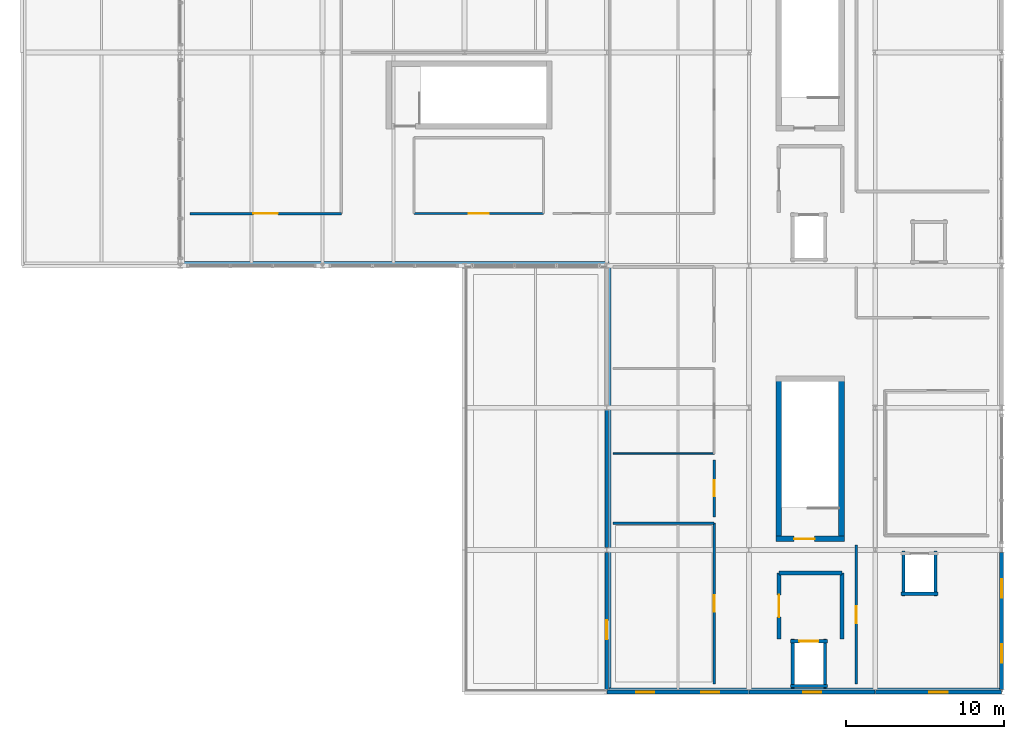
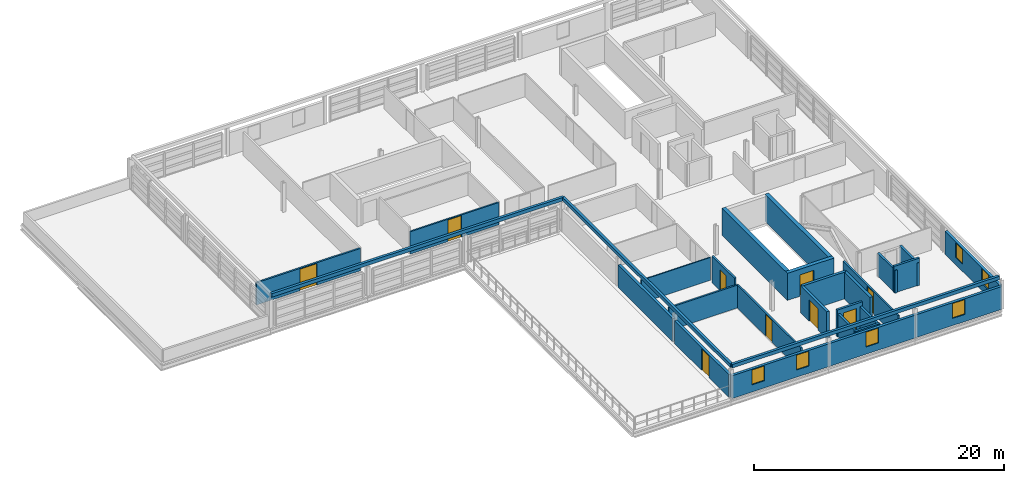
# One storey, part 24 of 27: 29 walls, 9 doors, 6 windows, 15 openings.
"""IFC4 building model written with IfcOpenShell, lengths in metres."""

import ifcopenshell
import ifcopenshell.guid

model = None  # the IFC model being written
_history = None  # IfcOwnerHistory: only IFC2X3 demands one
_inside = {}  # id of a spatial element -> (the spatial element, [elements in it])
_under = {}  # id of a project, library or spatial element -> (it, [spatial elements below it])
_declared = {}  # id of a project -> (the project, [libraries it declares])
_typed = {}  # id of a type object -> (the type object, [elements of that type])
_made_of = {}  # id of a material, layer set ... -> (it, [elements and type objects made of it])


def new_model(schema):
    """Start an empty IFC model of exactly this schema.

    Asked for "IFC4X3", IfcOpenShell would pick the latest addendum, in which some entities
    have other attributes; the version numbers below select the first issue.
    IFC2X3 requires an IfcOwnerHistory on every rooted entity: one is made here for all.
    """
    global model, _history
    if schema == "IFC4X3":
        model = ifcopenshell.file(schema_version=(4, 3, 0, 0))
    else:
        model = ifcopenshell.file(schema=schema)
    _inside.clear()
    _under.clear()
    _declared.clear()
    _typed.clear()
    _made_of.clear()
    _history = None
    if model.schema == "IFC2X3":
        org = make("IfcOrganization", Name="unknown")
        user = make(
            "IfcPersonAndOrganization",
            ThePerson=make("IfcPerson", FamilyName="unknown"),
            TheOrganization=org,
        )
        app = make(
            "IfcApplication",
            ApplicationDeveloper=org,
            Version="unknown",
            ApplicationFullName="unknown",
            ApplicationIdentifier="unknown",
        )
        _history = make(
            "IfcOwnerHistory",
            OwningUser=user,
            OwningApplication=app,
            ChangeAction="ADDED",
            CreationDate=0,
        )
    return model


def make(cls, **values):
    """One entity of the class cls with the attributes given. An attribute that is None is left unset."""
    return model.create_entity(
        cls, **{name: value for name, value in values.items() if value is not None}
    )


def rooted(cls, **values):
    """An entity with a GlobalId (a new one), such as an element, a storey or a relation."""
    return make(cls, GlobalId=ifcopenshell.guid.new(), OwnerHistory=_history, **values)


def si_unit(unit_type, name, prefix=None):
    """IfcSIUnit, for example si_unit("LENGTHUNIT", "METRE", prefix="MILLI")."""
    return make("IfcSIUnit", UnitType=unit_type, Prefix=prefix, Name=name)


def assignment(units):
    """IfcUnitAssignment: the units of a project."""
    return None if units is None else make("IfcUnitAssignment", Units=units)


def point(xyz):
    """IfcCartesianPoint."""
    return None if xyz is None else make("IfcCartesianPoint", Coordinates=xyz)


def direction(xyz):
    """IfcDirection."""
    return None if xyz is None else make("IfcDirection", DirectionRatios=xyz)


def frame(location, z_axis=None, x_axis=None):
    """IfcAxis2Placement3D, a coordinate frame: its origin and axes. An axis left out is left unset."""
    return make(
        "IfcAxis2Placement3D",
        Location=point(location),
        Axis=direction(z_axis),
        RefDirection=direction(x_axis),
    )


def frame_2d(location, x_axis=None):
    """IfcAxis2Placement2D, a coordinate frame in the plane: its origin and x axis."""
    return make(
        "IfcAxis2Placement2D", Location=point(location), RefDirection=direction(x_axis)
    )


def origin():
    """The frame at (0, 0, 0) with its axes left unset."""
    return frame((0.0, 0.0, 0.0))


def place(relative_to, where):
    """IfcLocalPlacement: puts the frame where relative to a parent placement (None: the world)."""
    return make(
        "IfcLocalPlacement", PlacementRelTo=relative_to, RelativePlacement=where
    )


def context(
    kind, dimensions, precision=None, world=None, true_north=None, identifier=None
):
    """IfcGeometricRepresentationContext, for example the 3D "Model" context."""
    return make(
        "IfcGeometricRepresentationContext",
        ContextIdentifier=identifier,
        ContextType=kind,
        CoordinateSpaceDimension=dimensions,
        Precision=precision,
        WorldCoordinateSystem=world,
        TrueNorth=true_north,
    )


def subcontext(parent, identifier, kind, view, scale=None):
    """IfcGeometricRepresentationSubContext, for example "Body" below "Model"."""
    return make(
        "IfcGeometricRepresentationSubContext",
        ContextIdentifier=identifier,
        ContextType=kind,
        ParentContext=parent,
        TargetScale=scale,
        TargetView=view,
    )


def project(units=None, contexts=None):
    """IfcProject with its units and contexts."""
    return rooted(
        "IfcProject",
        Name="project",
        RepresentationContexts=contexts,
        UnitsInContext=assignment(units),
    )


def spatial(cls, under=None, at=None, **own):
    """A site, building, storey or space (cls), placed at a placement, below another one or the project."""
    s = rooted(cls, ObjectPlacement=at, **own)
    if under is not None:
        _under.setdefault(under.id(), (under, []))[1].append(s)
    return s


def profile(cls, at=None, kind="AREA", **sizes):
    """A parametric profile (cls). Its sizes go by their IFC names, for example OverallWidth=200.0."""
    return make(cls, ProfileType=kind, Position=at, **sizes)


def rectangle(**sizes):
    """IfcRectangleProfileDef."""
    return profile("IfcRectangleProfileDef", **sizes)


def extrude(swept, where, along, depth):
    """IfcExtrudedAreaSolid: the profile swept, set in the frame where, extruded along a direction by depth."""
    return make(
        "IfcExtrudedAreaSolid",
        SweptArea=swept,
        Position=where,
        ExtrudedDirection=direction(along),
        Depth=depth,
    )


def shape(context_of_items, identifier, shape_type, items):
    """IfcShapeRepresentation: the items that make up one representation, for example the "Body"."""
    return make(
        "IfcShapeRepresentation",
        ContextOfItems=context_of_items,
        RepresentationIdentifier=identifier,
        RepresentationType=shape_type,
        Items=items,
    )


def material(Name=None, Category=None):
    """IfcMaterial."""
    return make("IfcMaterial", Name=Name, Category=Category)


def layer(
    of_material, thickness, ventilated=None, Name=None, Category=None, Priority=None
):
    """IfcMaterialLayer: one layer of a wall or slab, of a material (None: an air gap)."""
    return make(
        "IfcMaterialLayer",
        Material=of_material,
        LayerThickness=thickness,
        IsVentilated=ventilated,
        Name=Name,
        Category=Category,
        Priority=Priority,
    )


def layer_set(layers, Name=None):
    """IfcMaterialLayerSet."""
    return make("IfcMaterialLayerSet", MaterialLayers=layers, LayerSetName=Name)


def made_of(thing, what):
    """Note that an element or type object is made of a material, layer set ...; save() writes the relation."""
    if what is not None:
        _made_of.setdefault(what.id(), (what, []))[1].append(thing)
    return thing


def type_object(cls, material=None, **own):
    """A type object (cls), such as IfcWallType, which elements share."""
    return made_of(rooted(cls, **own), material)


def element(
    cls,
    number,
    at=None,
    inside=None,
    cuts=None,
    type_object=None,
    material=None,
    context=None,
    identifier="Body",
    shape_type=None,
    held_by="IfcProductDefinitionShape",
    body=None,
    shapes=None,
    **own,
):
    """One element of the class cls, such as IfcWall. Its Tag is "e" and its number.

    at: its placement. inside: the storey or other place that contains it. cuts: it is an
    opening in that element (IfcRelVoidsElement). A single representation is given by context,
    identifier, shape_type and body (its items); several are given by shapes. held_by: the class
    of the entity that holds the representations. save() writes the other relations.
    """
    e = rooted(cls, Tag="e%d" % number, ObjectPlacement=at, **own)
    if body is not None:
        shapes = [shape(context, identifier, shape_type, body)]
    if shapes is not None:
        e.Representation = make(held_by, Representations=shapes)
    if inside is not None:
        _inside.setdefault(inside.id(), (inside, []))[1].append(e)
    if cuts is not None:
        rooted(
            "IfcRelVoidsElement", RelatingBuildingElement=cuts, RelatedOpeningElement=e
        )
    if type_object is not None:
        _typed.setdefault(type_object.id(), (type_object, []))[1].append(e)
    return made_of(e, material)


def fill(opening, filler):
    """IfcRelFillsElement: the door or window that sits in an opening."""
    return rooted(
        "IfcRelFillsElement",
        RelatingOpeningElement=opening,
        RelatedBuildingElement=filler,
    )


def aggregate(whole, parts):
    """IfcRelAggregates: a whole, such as a stair, and the parts it consists of."""
    return rooted("IfcRelAggregates", RelatingObject=whole, RelatedObjects=parts)


def save(model, path):
    """Write the relations noted so far, then the file.

    IfcRelAggregates (storeys below a building ...), IfcRelContainedInSpatialStructure (elements
    in a storey), IfcRelDefinesByType, IfcRelAssociatesMaterial and IfcRelDeclares: one each for
    every whole, place, type object, material and project.
    """
    for whole, parts in _under.values():
        aggregate(whole, parts)
    for where, things in _inside.values():
        rooted(
            "IfcRelContainedInSpatialStructure",
            RelatedElements=things,
            RelatingStructure=where,
        )
    for kind, things in _typed.values():
        rooted("IfcRelDefinesByType", RelatedObjects=things, RelatingType=kind)
    for what, things in _made_of.values():
        rooted("IfcRelAssociatesMaterial", RelatedObjects=things, RelatingMaterial=what)
    for by, libraries in _declared.values():
        rooted("IfcRelDeclares", RelatingContext=by, RelatedDefinitions=libraries)
    model.write(path)


model = new_model("IFC4")

# Units and contexts
model_context = context("Model", 3, precision=1e-05, world=origin(), true_north=direction((0.0, 1.0)))
body_context = subcontext(model_context, "Body", "Model", "MODEL_VIEW")
ifc_project = project(units=[si_unit("LENGTHUNIT", "METRE"), si_unit("AREAUNIT", "SQUARE_METRE"), si_unit("VOLUMEUNIT", "CUBIC_METRE"), si_unit("PLANEANGLEUNIT", "RADIAN"), si_unit("MASSUNIT", "GRAM", prefix="KILO")], contexts=[model_context])

# Site, building, storey
site_placement = place(None, origin())
site = spatial("IfcSite", under=ifc_project, at=site_placement, CompositionType="ELEMENT")
building_placement = place(site_placement, origin())
building = spatial("IfcBuilding", under=site, at=building_placement, Name="Chuanluo Vaults Station", CompositionType="ELEMENT")
storey_placement = place(building_placement, frame((0.0, 0.0, 20.800048828125)))
storey = spatial("IfcBuildingStorey", under=building, at=storey_placement, Name="L05", CompositionType="ELEMENT", Elevation=20.800048828125)

# Walls
ifc_material_1 = material(Name="Concrete C50", Category="concrete")
ifc_layer_1 = layer(ifc_material_1, 0.35009765625)
ifc_layer_set_1 = layer_set([ifc_layer_1], Name="Concrete C50")
wall_type_1 = type_object("IfcWallType", Name="WL-COR-350", PredefinedType="SHEAR", material=ifc_layer_set_1)
for number, where, z_axis, x_axis, name in (
    (1, (177.862548828125, 86.02490234375, 0.0), (0.0, 0.0, 1.0), (0.0, 1.0, 0.0), "Core K1 left shear wall"),
    (2, (173.892578125, 96.5224609375, 0.0), (0.0, 0.0, 1.0), (0.0, -1.0, 0.0), "Core K1 right shear wall"),
):
    element("IfcWall", number, at=place(storey_placement, frame(where, z_axis=z_axis, x_axis=x_axis)), inside=storey, type_object=wall_type_1, Name=name, PredefinedType="SHEAR", context=body_context, shape_type="SweptSolid", body=[
        extrude(rectangle(XDim=10.49755859375, YDim=0.35009765625, at=frame_2d((5.248779296875, 0.0))), origin(), (0.0, 0.0, 1.0), 2.64501953125),
    ])

# Wall, opening, door
wall_1_placement = place(storey_placement, frame((173.717529296875, 86.199951171875, 0.0), z_axis=(0.0, 0.0, 1.0), x_axis=(1.0, 0.0, 0.0)))
wall_1 = element("IfcWall", 3, at=wall_1_placement, inside=storey, type_object=wall_type_1, Name="Core K1 near shear wall", PredefinedType="SHEAR", context=body_context, shape_type="SweptSolid", body=[
    extrude(rectangle(XDim=4.320068359375, YDim=0.35009765625, at=frame_2d((2.16015625, 0.0))), origin(), (0.0, 0.0, 1.0), 2.64501953125),
])
opening_1_placement = place(wall_1_placement, frame((1.14990234375, 0.0, 0.0)))
opening_1 = element("IfcOpeningElement", 4, at=opening_1_placement, cuts=wall_1, Name="Opening FD-05", PredefinedType="OPENING", context=body_context, shape_type="SweptSolid", body=[
    extrude(rectangle(XDim=1.300048828125, YDim=2.10009765625, at=frame_2d((0.64990234375, 1.050048828125))), frame((0.0, 0.18505, 0.0), z_axis=(0.0, -1.0, 0.0), x_axis=(1.0, 0.0, 0.0)), (0.0, 0.0, 1.0), 0.3701),
])
ifc_material_2 = material(Name="Fire-rated steel leaf", Category="steel")
door_type_1 = type_object("IfcDoorType", Name="DR-FIR-1300x2100", OperationType="NOTDEFINED", PredefinedType="DOOR", material=ifc_material_2)
door_1_placement = place(opening_1_placement, origin())
door_1 = element("IfcDoor", 5, at=door_1_placement, inside=storey, type_object=door_type_1, Name="D-064 Stair ST-01 fire door", OperationType="SINGLE_SWING_LEFT", OverallHeight=2.10009765625, OverallWidth=1.300048828125, PredefinedType="DOOR", context=body_context, shape_type="SweptSolid", body=[
    extrude(rectangle(XDim=1.300048828125, YDim=2.10009765625, at=frame_2d((0.64990234375, 1.050048828125))), frame((0.0, 0.02490234375, 0.0), z_axis=(0.0, -1.0, 0.0), x_axis=(1.0, 0.0, 0.0)), (0.0, 0.0, 1.0), 0.050048828125),
])
fill(opening_1, door_1)

# Wall, opening, window
ifc_material_3 = material(Name="Concrete C40", Category="concrete")
ifc_layer_2 = layer(ifc_material_3, 0.2451171875)
ifc_layer_set_2 = layer_set([ifc_layer_2], Name="Concrete C40")
wall_type_2 = type_object("IfcWallType", Name="WL-EXT-245", PredefinedType="SOLIDWALL", material=ifc_layer_set_2)
wall_2_placement = place(storey_placement, frame((187.9951171875, 76.5, 0.0), z_axis=(0.0, 0.0, 1.0), x_axis=(-1.0, 0.0, 0.0)))
wall_2 = element("IfcWall", 6, at=wall_2_placement, inside=storey, type_object=wall_type_2, Name="L05 exterior punched wall 31", PredefinedType="SOLIDWALL", context=body_context, shape_type="SweptSolid", body=[
    extrude(rectangle(XDim=7.990234375, YDim=0.2451171875, at=frame_2d((3.9951171875, 0.0))), origin(), (0.0, 0.0, 1.0), 2.22998046875),
])
opening_2_placement = place(wall_2_placement, frame((3.419921875, 0.0, 0.699951171875)))
opening_2 = element("IfcOpeningElement", 7, at=opening_2_placement, cuts=wall_2, Name="Opening W-49", PredefinedType="OPENING", context=body_context, shape_type="SweptSolid", body=[
    extrude(rectangle(XDim=1.14990234375, YDim=1.449951171875, at=frame_2d((0.574951171875, 0.72509765625))), frame((0.0, 0.13256, 0.0), z_axis=(0.0, -1.0, 0.0), x_axis=(1.0, 0.0, 0.0)), (0.0, 0.0, 1.0), 0.26512),
])
ifc_material_4 = material(Name="Double-silver Low-E laminated glass", Category="glass")
window_type = type_object("IfcWindowType", Name="WN-OPS-1150x1450", PartitioningType="SINGLE_PANEL", PredefinedType="WINDOW", material=ifc_material_4)
window_1_placement = place(opening_2_placement, origin())
window_1 = element("IfcWindow", 8, at=window_1_placement, inside=storey, type_object=window_type, Name="W-108 L05 facade window", OverallHeight=1.449951171875, OverallWidth=1.14990234375, PartitioningType="SINGLE_PANEL", PredefinedType="WINDOW", context=body_context, shape_type="SweptSolid", body=[
    extrude(rectangle(XDim=1.14990234375, YDim=1.449951171875, at=frame_2d((0.574951171875, 0.72509765625))), frame((0.0, 0.030029296875, 0.0), z_axis=(0.0, -1.0, 0.0), x_axis=(1.0, 0.0, 0.0)), (0.0, 0.0, 1.0), 0.06005859375),
])
fill(opening_2, window_1)

wall_3_placement = place(storey_placement, frame((179.9951171875, 76.5, 0.0), z_axis=(0.0, 0.0, 1.0), x_axis=(-1.0, 0.0, 0.0)))
wall_3 = element("IfcWall", 9, at=wall_3_placement, inside=storey, type_object=wall_type_2, Name="L05 exterior punched wall 32", PredefinedType="SOLIDWALL", context=body_context, shape_type="SweptSolid", body=[
    extrude(rectangle(XDim=7.990234375, YDim=0.2451171875, at=frame_2d((3.9951171875, 0.0))), origin(), (0.0, 0.0, 1.0), 2.22998046875),
])
opening_3_placement = place(wall_3_placement, frame((3.419921875, 0.0, 0.699951171875)))
opening_3 = element("IfcOpeningElement", 10, at=opening_3_placement, cuts=wall_3, Name="Opening W-49", PredefinedType="OPENING", context=body_context, shape_type="SweptSolid", body=[
    extrude(rectangle(XDim=1.14990234375, YDim=1.449951171875, at=frame_2d((0.574951171875, 0.72509765625))), frame((0.0, 0.13256, 0.0), z_axis=(0.0, -1.0, 0.0), x_axis=(1.0, 0.0, 0.0)), (0.0, 0.0, 1.0), 0.26512),
])
window_2_placement = place(opening_3_placement, origin())
window_2 = element("IfcWindow", 11, at=window_2_placement, inside=storey, type_object=window_type, Name="W-109 L05 facade window", OverallHeight=1.449951171875, OverallWidth=1.14990234375, PartitioningType="SINGLE_PANEL", PredefinedType="WINDOW", context=body_context, shape_type="SweptSolid", body=[
    extrude(rectangle(XDim=1.14990234375, YDim=1.449951171875, at=frame_2d((0.574951171875, 0.72509765625))), frame((0.0, 0.030029296875, 0.0), z_axis=(0.0, -1.0, 0.0), x_axis=(1.0, 0.0, 0.0)), (0.0, 0.0, 1.0), 0.06005859375),
])
fill(opening_3, window_2)

# Wall, openings, windows
wall_4_placement = place(storey_placement, frame((171.9951171875, 76.5, 0.0), z_axis=(0.0, 0.0, 1.0), x_axis=(-1.0, 0.0, 0.0)))
wall_4 = element("IfcWall", 12, at=wall_4_placement, inside=storey, type_object=wall_type_2, Name="L05 exterior punched wall 33", PredefinedType="SOLIDWALL", context=body_context, shape_type="SweptSolid", body=[
    extrude(rectangle(XDim=8.990234375, YDim=0.2451171875, at=frame_2d((4.4951171875, 0.0))), origin(), (0.0, 0.0, 1.0), 2.22998046875),
])
opening_4_placement = place(wall_4_placement, frame((1.860107421875, 0.0, 0.699951171875)))
opening_4 = element("IfcOpeningElement", 13, at=opening_4_placement, cuts=wall_4, Name="Opening W-49", PredefinedType="OPENING", context=body_context, shape_type="SweptSolid", body=[
    extrude(rectangle(XDim=1.14990234375, YDim=1.449951171875, at=frame_2d((0.574951171875, 0.72509765625))), frame((0.0, 0.13256, 0.0), z_axis=(0.0, -1.0, 0.0), x_axis=(1.0, 0.0, 0.0)), (0.0, 0.0, 1.0), 0.26512),
])
opening_5_placement = place(wall_4_placement, frame((5.97998046875, 0.0, 0.699951171875)))
opening_5 = element("IfcOpeningElement", 14, at=opening_5_placement, cuts=wall_4, Name="Opening W-49", PredefinedType="OPENING", context=body_context, shape_type="SweptSolid", body=[
    extrude(rectangle(XDim=1.14990234375, YDim=1.449951171875, at=frame_2d((0.574951171875, 0.72509765625))), frame((0.0, 0.13256, 0.0), z_axis=(0.0, -1.0, 0.0), x_axis=(1.0, 0.0, 0.0)), (0.0, 0.0, 1.0), 0.26512),
])
window_3_placement = place(opening_4_placement, origin())
window_3 = element("IfcWindow", 15, at=window_3_placement, inside=storey, type_object=window_type, Name="W-110 L05 facade window", OverallHeight=1.449951171875, OverallWidth=1.14990234375, PartitioningType="SINGLE_PANEL", PredefinedType="WINDOW", context=body_context, shape_type="SweptSolid", body=[
    extrude(rectangle(XDim=1.14990234375, YDim=1.449951171875, at=frame_2d((0.574951171875, 0.72509765625))), frame((0.0, 0.030029296875, 0.0), z_axis=(0.0, -1.0, 0.0), x_axis=(1.0, 0.0, 0.0)), (0.0, 0.0, 1.0), 0.06005859375),
])
fill(opening_4, window_3)
window_4_placement = place(opening_5_placement, origin())
window_4 = element("IfcWindow", 16, at=window_4_placement, inside=storey, type_object=window_type, Name="W-111 L05 facade window", OverallHeight=1.449951171875, OverallWidth=1.14990234375, PartitioningType="SINGLE_PANEL", PredefinedType="WINDOW", context=body_context, shape_type="SweptSolid", body=[
    extrude(rectangle(XDim=1.14990234375, YDim=1.449951171875, at=frame_2d((0.574951171875, 0.72509765625))), frame((0.0, 0.030029296875, 0.0), z_axis=(0.0, -1.0, 0.0), x_axis=(1.0, 0.0, 0.0)), (0.0, 0.0, 1.0), 0.06005859375),
])
fill(opening_5, window_4)

wall_5_placement = place(storey_placement, frame((188.0, 85.35009765625, 0.0), z_axis=(0.0, 0.0, 1.0), x_axis=(0.0, -1.0, 0.0)))
wall_5 = element("IfcWall", 17, at=wall_5_placement, inside=storey, type_object=wall_type_2, Name="L05 exterior punched wall 34", PredefinedType="SOLIDWALL", context=body_context, shape_type="SweptSolid", body=[
    extrude(rectangle(XDim=8.7001953125, YDim=0.2451171875, at=frame_2d((4.35009765625, 0.0))), origin(), (0.0, 0.0, 1.0), 2.22998046875),
])
opening_6_placement = place(wall_5_placement, frame((1.715087890625, 0.0, 0.699951171875)))
opening_6 = element("IfcOpeningElement", 18, at=opening_6_placement, cuts=wall_5, Name="Opening W-49", PredefinedType="OPENING", context=body_context, shape_type="SweptSolid", body=[
    extrude(rectangle(XDim=1.14990234375, YDim=1.449951171875, at=frame_2d((0.574951171875, 0.72509765625))), frame((0.0, 0.13256, 0.0), z_axis=(0.0, -1.0, 0.0), x_axis=(1.0, 0.0, 0.0)), (0.0, 0.0, 1.0), 0.26512),
])
opening_7_placement = place(wall_5_placement, frame((5.8349609375, 0.0, 0.699951171875)))
opening_7 = element("IfcOpeningElement", 19, at=opening_7_placement, cuts=wall_5, Name="Opening W-49", PredefinedType="OPENING", context=body_context, shape_type="SweptSolid", body=[
    extrude(rectangle(XDim=1.14990234375, YDim=1.449951171875, at=frame_2d((0.574951171875, 0.72509765625))), frame((0.0, 0.13256, 0.0), z_axis=(0.0, -1.0, 0.0), x_axis=(1.0, 0.0, 0.0)), (0.0, 0.0, 1.0), 0.26512),
])
window_5_placement = place(opening_6_placement, origin())
window_5 = element("IfcWindow", 20, at=window_5_placement, inside=storey, type_object=window_type, Name="W-112 L05 facade window", OverallHeight=1.449951171875, OverallWidth=1.14990234375, PartitioningType="SINGLE_PANEL", PredefinedType="WINDOW", context=body_context, shape_type="SweptSolid", body=[
    extrude(rectangle(XDim=1.14990234375, YDim=1.449951171875, at=frame_2d((0.574951171875, 0.72509765625))), frame((0.0, 0.030029296875, 0.0), z_axis=(0.0, -1.0, 0.0), x_axis=(1.0, 0.0, 0.0)), (0.0, 0.0, 1.0), 0.06005859375),
])
fill(opening_6, window_5)
window_6_placement = place(opening_7_placement, origin())
window_6 = element("IfcWindow", 21, at=window_6_placement, inside=storey, type_object=window_type, Name="W-113 L05 facade window", OverallHeight=1.449951171875, OverallWidth=1.14990234375, PartitioningType="SINGLE_PANEL", PredefinedType="WINDOW", context=body_context, shape_type="SweptSolid", body=[
    extrude(rectangle(XDim=1.14990234375, YDim=1.449951171875, at=frame_2d((0.574951171875, 0.72509765625))), frame((0.0, 0.030029296875, 0.0), z_axis=(0.0, -1.0, 0.0), x_axis=(1.0, 0.0, 0.0)), (0.0, 0.0, 1.0), 0.06005859375),
])
fill(opening_7, window_6)

# Wall, opening, door
wall_6_placement = place(storey_placement, frame((163.0, 76.64990234375, 0.0), z_axis=(0.0, 0.0, 1.0), x_axis=(0.0, 1.0, 0.0)))
wall_6 = element("IfcWall", 22, at=wall_6_placement, inside=storey, type_object=wall_type_2, Name="L05 executive roof garden wall 1", PredefinedType="SOLIDWALL", context=body_context, shape_type="SweptSolid", body=[
    extrude(rectangle(XDim=8.7001953125, YDim=0.2451171875, at=frame_2d((4.35009765625, 0.0))), origin(), (0.0, 0.0, 1.0), 2.22998046875),
])
opening_8_placement = place(wall_6_placement, frame((3.186767578125, 0.0, 0.0)))
opening_8 = element("IfcOpeningElement", 23, at=opening_8_placement, cuts=wall_6, Name="Opening D-T03", PredefinedType="OPENING", context=body_context, shape_type="SweptSolid", body=[
    extrude(rectangle(XDim=1.199951171875, YDim=2.10009765625, at=frame_2d((0.60009765625, 1.050048828125))), frame((0.0, 0.13256, 0.0), z_axis=(0.0, -1.0, 0.0), x_axis=(1.0, 0.0, 0.0)), (0.0, 0.0, 1.0), 0.26512),
])
ifc_material_5 = material(Name="Anodised aluminium 6063-T6", Category="aluminium")
door_type_2 = type_object("IfcDoorType", Name="DR-TER-1200x2100", OperationType="NOTDEFINED", PredefinedType="DOOR", material=ifc_material_5)
door_2_placement = place(opening_8_placement, origin())
door_2 = element("IfcDoor", 24, at=door_2_placement, inside=storey, type_object=door_type_2, Name="D-057 L05 executive roof garden wall 1 terrace door", OperationType="SINGLE_SWING_RIGHT", OverallHeight=2.10009765625, OverallWidth=1.199951171875, PredefinedType="DOOR", context=body_context, shape_type="SweptSolid", body=[
    extrude(rectangle(XDim=1.199951171875, YDim=2.10009765625, at=frame_2d((0.60009765625, 1.050048828125))), frame((0.0, 0.02490234375, 0.0), z_axis=(0.0, -1.0, 0.0), x_axis=(1.0, 0.0, 0.0)), (0.0, 0.0, 1.0), 0.050048828125),
])
fill(opening_8, door_2)

# Walls
wall_7_placement = place(storey_placement, frame((163.0, 85.64990234375, 0.0), z_axis=(0.0, 0.0, 1.0), x_axis=(0.0, 1.0, 0.0)))
element("IfcWall", 25, at=wall_7_placement, inside=storey, type_object=wall_type_2, Name="L05 executive roof garden wall 2", PredefinedType="SOLIDWALL", context=body_context, shape_type="SweptSolid", body=[
    extrude(rectangle(XDim=8.7001953125, YDim=0.2451171875, at=frame_2d((4.35009765625, 0.0))), origin(), (0.0, 0.0, 1.0), 2.22998046875),
])
ifc_material_6 = material(Name="Concrete C40", Category="concrete")
ifc_layer_3 = layer(ifc_material_6, 0.25)
ifc_layer_set_3 = layer_set([ifc_layer_3], Name="Concrete C40")
wall_type_3 = type_object("IfcWallType", Name="WL-FIR-250", PredefinedType="SOLIDWALL", material=ifc_layer_set_3)
wall_8_placement = place(storey_placement, frame((173.89990234375, 84.050048828125, 0.0), z_axis=(0.0, 0.0, 1.0), x_axis=(1.0, 0.0, 0.0)))
element("IfcWall", 26, at=wall_8_placement, inside=storey, type_object=wall_type_3, Name="L05-FFL-K1 Firefighting Lift Lobby FFL-01 L05 N partition", PredefinedType="SOLIDWALL", context=body_context, shape_type="SweptSolid", body=[
    extrude(rectangle(XDim=4.0, YDim=0.25, at=frame_2d((2.0, 0.0))), origin(), (0.0, 0.0, 1.0), 2.619873046875),
])

# Wall, opening, door
wall_9_placement = place(storey_placement, frame((173.89990234375, 79.85009765625, 0.0), z_axis=(0.0, 0.0, 1.0), x_axis=(0.0, 1.0, 0.0)))
wall_9 = element("IfcWall", 27, at=wall_9_placement, inside=storey, type_object=wall_type_3, Name="L05-FFL-K1 Firefighting Lift Lobby FFL-01 L05 W partition", PredefinedType="SOLIDWALL", context=body_context, shape_type="SweptSolid", body=[
    extrude(rectangle(XDim=4.199951171875, YDim=0.25, at=frame_2d((2.10009765625, 0.0))), origin(), (0.0, 0.0, 1.0), 2.619873046875),
])
opening_9_placement = place(wall_9_placement, frame((1.39990234375, 0.0, 0.0)))
opening_9 = element("IfcOpeningElement", 28, at=opening_9_placement, cuts=wall_9, Name="Opening FD-04", PredefinedType="OPENING", context=body_context, shape_type="SweptSolid", body=[
    extrude(rectangle(XDim=1.39990234375, YDim=2.10009765625, at=frame_2d((0.699951171875, 1.050048828125))), frame((0.0, 0.135, 0.0), z_axis=(0.0, -1.0, 0.0), x_axis=(1.0, 0.0, 0.0)), (0.0, 0.0, 1.0), 0.27),
])
ifc_material_7 = material(Name="Fire-rated steel leaf", Category="steel")
door_type_3 = type_object("IfcDoorType", Name="DR-FIR-1400x2100", OperationType="NOTDEFINED", PredefinedType="DOOR", material=ifc_material_7)
door_3_placement = place(opening_9_placement, origin())
door_3 = element("IfcDoor", 29, at=door_3_placement, inside=storey, type_object=door_type_3, Name="D-273 Firefighting Lift Lobby FFL-01 L05 door", OperationType="SINGLE_SWING_RIGHT", OverallHeight=2.10009765625, OverallWidth=1.39990234375, PredefinedType="DOOR", context=body_context, shape_type="SweptSolid", body=[
    extrude(rectangle(XDim=1.39990234375, YDim=2.10009765625, at=frame_2d((0.699951171875, 1.050048828125))), frame((0.0, 0.02490234375, 0.0), z_axis=(0.0, -1.0, 0.0), x_axis=(1.0, 0.0, 0.0)), (0.0, 0.0, 1.0), 0.050048828125),
])
fill(opening_9, door_3)

# Walls
wall_10_placement = place(storey_placement, frame((177.89990234375, 84.050048828125, 0.0), z_axis=(0.0, 0.0, 1.0), x_axis=(0.0, -1.0, 0.0)))
element("IfcWall", 30, at=wall_10_placement, inside=storey, type_object=wall_type_3, Name="L05-FFL-K1 Firefighting Lift Lobby FFL-01 L05 E partition", PredefinedType="SOLIDWALL", context=body_context, shape_type="SweptSolid", body=[
    extrude(rectangle(XDim=4.199951171875, YDim=0.25, at=frame_2d((2.10009765625, 0.0))), origin(), (0.0, 0.0, 1.0), 2.619873046875),
])
ifc_material_8 = material(Name="Concrete C40", Category="concrete")
ifc_layer_4 = layer(ifc_material_8, 0.239990234375)
ifc_layer_set_4 = layer_set([ifc_layer_4], Name="Concrete C40")
wall_type_4 = type_object("IfcWallType", Name="WL-PAR-240", PredefinedType="PARAPET", material=ifc_layer_set_4)
wall_11_placement = place(storey_placement, frame((163.14990234375, 76.64990234375, 2.849853515625), z_axis=(0.0, 0.0, 1.0), x_axis=(1.0, 0.0, 0.0)))
element("IfcWall", 31, at=wall_11_placement, inside=storey, type_object=wall_type_4, Name="L05 roof parapet wall 19", PredefinedType="PARAPET", context=body_context, shape_type="SweptSolid", body=[
    extrude(rectangle(XDim=24.7001953125, YDim=0.239990234375, at=frame_2d((12.35009765625, 0.0))), origin(), (0.0, 0.0, 1.0), 0.340087890625),
])
for number, where, z_axis, x_axis, name in (
    (32, (136.14990234375, 103.64990234375, 2.849853515625), (0.0, 0.0, 1.0), (1.0, 0.0, 0.0), "L05 roof parapet wall 23"),
    (33, (163.14990234375, 103.64990234375, 2.849853515625), (0.0, 0.0, 1.0), (0.0, -1.0, 0.0), "L05 roof parapet wall 24"),
):
    element("IfcWall", number, at=place(storey_placement, frame(where, z_axis=z_axis, x_axis=x_axis)), inside=storey, type_object=wall_type_4, Name=name, PredefinedType="PARAPET", context=body_context, shape_type="SweptSolid", body=[
        extrude(rectangle(XDim=27.0, YDim=0.239990234375, at=frame_2d((13.5, 0.0))), origin(), (0.0, 0.0, 1.0), 0.340087890625),
    ])
ifc_material_9 = material(Name="Masonry blockwork M10", Category="masonry")
ifc_layer_5 = layer(ifc_material_9, 0.10009765625)
ifc_layer_set_5 = layer_set([ifc_layer_5], Name="Masonry blockwork M10")
wall_type_5 = type_object("IfcWallType", Name="WL-PRT-100", PredefinedType="PARTITIONING", material=ifc_layer_set_5)
wall_12_placement = place(storey_placement, frame((169.800048828125, 91.60009765625, 0.0), z_axis=(0.0, 0.0, 1.0), x_axis=(-1.0, 0.0, 0.0)))
element("IfcWall", 34, at=wall_12_placement, inside=storey, type_object=wall_type_5, Name="L05-09 Level 5 Male Toilet S partition", PredefinedType="PARTITIONING", context=body_context, shape_type="SweptSolid", body=[
    extrude(rectangle(XDim=6.400146484375, YDim=0.10009765625, at=frame_2d((3.2001953125, 0.0))), origin(), (0.0, 0.0, 1.0), 2.22998046875),
])

# Wall, opening, door
ifc_material_10 = material(Name="Autoclaved aerated concrete blockwork MU10", Category="masonry")
ifc_layer_6 = layer(ifc_material_10, 0.139892578125)
ifc_layer_set_6 = layer_set([ifc_layer_6], Name="Autoclaved aerated concrete blockwork MU10")
wall_type_6 = type_object("IfcWallType", Name="WL-PRT-140", PredefinedType="PARTITIONING", material=ifc_layer_set_6)
wall_13_placement = place(storey_placement, frame((159.0, 106.800048828125, 0.0), z_axis=(0.0, 0.0, 1.0), x_axis=(-1.0, 0.0, 0.0)))
wall_13 = element("IfcWall", 35, at=wall_13_placement, inside=storey, type_object=wall_type_6, Name="L05-01C Training Seminar Classroom S partition", PredefinedType="PARTITIONING", context=body_context, shape_type="SweptSolid", body=[
    extrude(rectangle(XDim=8.199951171875, YDim=0.139892578125, at=frame_2d((4.10009765625, 0.0))), origin(), (0.0, 0.0, 1.0), 2.179931640625),
])
opening_10_placement = place(wall_13_placement, frame((3.47509765625, 0.0, 0.0)))
opening_10 = element("IfcOpeningElement", 36, at=opening_10_placement, cuts=wall_13, Name="Opening D-I05", PredefinedType="OPENING", context=body_context, shape_type="SweptSolid", body=[
    extrude(rectangle(XDim=1.25, YDim=2.10009765625, at=frame_2d((0.625, 1.050048828125))), frame((0.0, 0.07982, 0.0), z_axis=(0.0, -1.0, 0.0), x_axis=(1.0, 0.0, 0.0)), (0.0, 0.0, 1.0), 0.15989),
])
ifc_material_11 = material(Name="Anodised aluminium 6063-T6", Category="aluminium")
door_type_4 = type_object("IfcDoorType", Name="DR-INT-1250x2100", OperationType="NOTDEFINED", PredefinedType="DOOR", material=ifc_material_11)
door_4_placement = place(opening_10_placement, origin())
door_4 = element("IfcDoor", 37, at=door_4_placement, inside=storey, type_object=door_type_4, Name="D-254 Training Seminar Classroom door", OperationType="SINGLE_SWING_LEFT", OverallHeight=2.10009765625, OverallWidth=1.25, PredefinedType="DOOR", context=body_context, shape_type="SweptSolid", body=[
    extrude(rectangle(XDim=1.25, YDim=2.10009765625, at=frame_2d((0.625, 1.050048828125))), frame((0.0, 0.02490234375, 0.0), z_axis=(0.0, -1.0, 0.0), x_axis=(1.0, 0.0, 0.0)), (0.0, 0.0, 1.0), 0.050048828125),
])
fill(opening_10, door_4)

ifc_material_12 = material(Name="Autoclaved aerated concrete blockwork MU10", Category="masonry")
ifc_layer_7 = layer(ifc_material_12, 0.159912109375)
ifc_layer_set_7 = layer_set([ifc_layer_7], Name="Autoclaved aerated concrete blockwork MU10")
wall_type_7 = type_object("IfcWallType", Name="WL-PRT-160", PredefinedType="PARTITIONING", material=ifc_layer_set_7)
wall_14_placement = place(storey_placement, frame((146.199951171875, 106.800048828125, 0.0), z_axis=(0.0, 0.0, 1.0), x_axis=(-1.0, 0.0, 0.0)))
wall_14 = element("IfcWall", 38, at=wall_14_placement, inside=storey, type_object=wall_type_7, Name="L05-01 Railway Regional Training Lecture Hall S partition", PredefinedType="PARTITIONING", context=body_context, shape_type="SweptSolid", body=[
    extrude(rectangle(XDim=9.599853515625, YDim=0.159912109375, at=frame_2d((4.7998046875, 0.0))), origin(), (0.0, 0.0, 1.0), 2.179931640625),
])
opening_11_placement = place(wall_14_placement, frame((4.02490234375, 0.0, 0.0)))
opening_11 = element("IfcOpeningElement", 39, at=opening_11_placement, cuts=wall_14, Name="Opening D-I03", PredefinedType="OPENING", context=body_context, shape_type="SweptSolid", body=[
    extrude(rectangle(XDim=1.550048828125, YDim=2.10009765625, at=frame_2d((0.77490234375, 1.050048828125))), frame((0.0, 0.09008, 0.0), z_axis=(0.0, -1.0, 0.0), x_axis=(1.0, 0.0, 0.0)), (0.0, 0.0, 1.0), 0.17991),
])
ifc_material_13 = material(Name="Anodised aluminium 6063-T6", Category="aluminium")
door_type_5 = type_object("IfcDoorType", Name="DR-INT-1550x2100", OperationType="NOTDEFINED", PredefinedType="DOOR", material=ifc_material_13)
door_5_placement = place(opening_11_placement, origin())
door_5 = element("IfcDoor", 40, at=door_5_placement, inside=storey, type_object=door_type_5, Name="D-253 Railway Regional Training Lecture Hall door", OperationType="SINGLE_SWING_RIGHT", OverallHeight=2.10009765625, OverallWidth=1.550048828125, PredefinedType="DOOR", context=body_context, shape_type="SweptSolid", body=[
    extrude(rectangle(XDim=1.550048828125, YDim=2.10009765625, at=frame_2d((0.77490234375, 1.050048828125))), frame((0.0, 0.02490234375, 0.0), z_axis=(0.0, -1.0, 0.0), x_axis=(1.0, 0.0, 0.0)), (0.0, 0.0, 1.0), 0.050048828125),
])
fill(opening_11, door_5)

# Wall
wall_15_placement = place(storey_placement, frame((163.39990234375, 87.199951171875, 0.0), z_axis=(0.0, 0.0, 1.0), x_axis=(1.0, 0.0, 0.0)))
element("IfcWall", 41, at=wall_15_placement, inside=storey, type_object=wall_type_7, Name="L05-04 Staff Sky Garden Lounge N partition", PredefinedType="PARTITIONING", context=body_context, shape_type="SweptSolid", body=[
    extrude(rectangle(XDim=6.400146484375, YDim=0.159912109375, at=frame_2d((3.2001953125, 0.0))), origin(), (0.0, 0.0, 1.0), 2.22998046875),
])

# Wall, opening, door
wall_16_placement = place(storey_placement, frame((169.800048828125, 87.199951171875, 0.0), z_axis=(0.0, 0.0, 1.0), x_axis=(0.0, -1.0, 0.0)))
wall_16 = element("IfcWall", 42, at=wall_16_placement, inside=storey, type_object=wall_type_7, Name="L05-04 Staff Sky Garden Lounge E partition", PredefinedType="PARTITIONING", context=body_context, shape_type="SweptSolid", body=[
    extrude(rectangle(XDim=10.199951171875, YDim=0.159912109375, at=frame_2d((5.10009765625, 0.0))), origin(), (0.0, 0.0, 1.0), 2.22998046875),
])
opening_12_placement = place(wall_16_placement, frame((4.574951171875, 0.0, 0.0)))
opening_12 = element("IfcOpeningElement", 43, at=opening_12_placement, cuts=wall_16, Name="Opening D-I07", PredefinedType="OPENING", context=body_context, shape_type="SweptSolid", body=[
    extrude(rectangle(XDim=1.050048828125, YDim=2.10009765625, at=frame_2d((0.52490234375, 1.050048828125))), frame((0.0, 0.09008, 0.0), z_axis=(0.0, -1.0, 0.0), x_axis=(1.0, 0.0, 0.0)), (0.0, 0.0, 1.0), 0.17991),
])
ifc_material_14 = material(Name="Anodised aluminium 6063-T6", Category="aluminium")
door_type_6 = type_object("IfcDoorType", Name="DR-INT-1050x2100", OperationType="NOTDEFINED", PredefinedType="DOOR", material=ifc_material_14)
door_6_placement = place(opening_12_placement, origin())
door_6 = element("IfcDoor", 44, at=door_6_placement, inside=storey, type_object=door_type_6, Name="D-261 Staff Sky Garden Lounge door", OperationType="SINGLE_SWING_RIGHT", OverallHeight=2.10009765625, OverallWidth=1.050048828125, PredefinedType="DOOR", context=body_context, shape_type="SweptSolid", body=[
    extrude(rectangle(XDim=1.050048828125, YDim=2.10009765625, at=frame_2d((0.52490234375, 1.050048828125))), frame((0.0, 0.02490234375, 0.0), z_axis=(0.0, -1.0, 0.0), x_axis=(1.0, 0.0, 0.0)), (0.0, 0.0, 1.0), 0.050048828125),
])
fill(opening_12, door_6)

wall_17_placement = place(storey_placement, frame((178.800048828125, 77.0, 0.0), z_axis=(0.0, 0.0, 1.0), x_axis=(0.0, 1.0, 0.0)))
wall_17 = element("IfcWall", 45, at=wall_17_placement, inside=storey, type_object=wall_type_7, Name="L05-13 Senior Engineering Studio W partition", PredefinedType="PARTITIONING", context=body_context, shape_type="SweptSolid", body=[
    extrude(rectangle(XDim=8.800048828125, YDim=0.159912109375, at=frame_2d((4.39990234375, 0.0))), origin(), (0.0, 0.0, 1.0), 2.22998046875),
])
opening_13_placement = place(wall_17_placement, frame((3.875, 0.0, 0.0)))
opening_13 = element("IfcOpeningElement", 46, at=opening_13_placement, cuts=wall_17, Name="Opening D-I07", PredefinedType="OPENING", context=body_context, shape_type="SweptSolid", body=[
    extrude(rectangle(XDim=1.050048828125, YDim=2.10009765625, at=frame_2d((0.52490234375, 1.050048828125))), frame((0.0, 0.09008, 0.0), z_axis=(0.0, -1.0, 0.0), x_axis=(1.0, 0.0, 0.0)), (0.0, 0.0, 1.0), 0.17991),
])
door_7_placement = place(opening_13_placement, origin())
door_7 = element("IfcDoor", 47, at=door_7_placement, inside=storey, type_object=door_type_6, Name="D-266 Senior Engineering Studio door", OperationType="SINGLE_SWING_LEFT", OverallHeight=2.10009765625, OverallWidth=1.050048828125, PredefinedType="DOOR", context=body_context, shape_type="SweptSolid", body=[
    extrude(rectangle(XDim=1.050048828125, YDim=2.10009765625, at=frame_2d((0.52490234375, 1.050048828125))), frame((0.0, 0.02490234375, 0.0), z_axis=(0.0, -1.0, 0.0), x_axis=(1.0, 0.0, 0.0)), (0.0, 0.0, 1.0), 0.050048828125),
])
fill(opening_13, door_7)

ifc_material_15 = material(Name="Autoclaved aerated concrete blockwork MU10", Category="masonry")
ifc_layer_8 = layer(ifc_material_15, 0.175048828125)
ifc_layer_set_8 = layer_set([ifc_layer_8], Name="Autoclaved aerated concrete blockwork MU10")
wall_type_8 = type_object("IfcWallType", Name="WL-PRT-175", PredefinedType="PARTITIONING", material=ifc_layer_set_8)
wall_18_placement = place(storey_placement, frame((169.800048828125, 91.199951171875, 0.0), z_axis=(0.0, 0.0, 1.0), x_axis=(0.0, -1.0, 0.0)))
wall_18 = element("IfcWall", 48, at=wall_18_placement, inside=storey, type_object=wall_type_8, Name="L05-11 Level 5 Accessible WC E partition", PredefinedType="PARTITIONING", context=body_context, shape_type="SweptSolid", body=[
    extrude(rectangle(XDim=3.599853515625, YDim=0.175048828125, at=frame_2d((1.7998046875, 0.0))), origin(), (0.0, 0.0, 1.0), 2.619873046875),
])
opening_14_placement = place(wall_18_placement, frame((1.2900390625, 0.0, 0.0)))
opening_14 = element("IfcOpeningElement", 49, at=opening_14_placement, cuts=wall_18, Name="Opening D-WC2", PredefinedType="OPENING", context=body_context, shape_type="SweptSolid", body=[
    extrude(rectangle(XDim=1.02001953125, YDim=2.050048828125, at=frame_2d((0.510009765625, 1.02490234375))), frame((0.0, 0.0974, 0.0), z_axis=(0.0, -1.0, 0.0), x_axis=(1.0, 0.0, 0.0)), (0.0, 0.0, 1.0), 0.19505),
])
ifc_material_16 = material(Name="Anodised aluminium 6063-T6", Category="aluminium")
door_type_7 = type_object("IfcDoorType", Name="DR-AWC-1020x2050", OperationType="NOTDEFINED", PredefinedType="DOOR", material=ifc_material_16)
door_8_placement = place(opening_14_placement, origin())
door_8 = element("IfcDoor", 50, at=door_8_placement, inside=storey, type_object=door_type_7, Name="D-265 Level 5 Accessible WC door", OperationType="SINGLE_SWING_RIGHT", OverallHeight=2.050048828125, OverallWidth=1.02001953125, PredefinedType="DOOR", context=body_context, shape_type="SweptSolid", body=[
    extrude(rectangle(XDim=1.02001953125, YDim=2.050048828125, at=frame_2d((0.510009765625, 1.02490234375))), frame((0.0, 0.02490234375, 0.0), z_axis=(0.0, -1.0, 0.0), x_axis=(1.0, 0.0, 0.0)), (0.0, 0.0, 1.0), 0.050048828125),
])
fill(opening_14, door_8)

# Wall
ifc_material_17 = material(Name="Concrete C40", Category="concrete")
ifc_layer_9 = layer(ifc_material_17, 0.199951171875)
ifc_layer_set_9 = layer_set([ifc_layer_9], Name="Concrete C40")
wall_type_9 = type_object("IfcWallType", Name="WL-SHF-200", PredefinedType="SOLIDWALL", material=ifc_layer_set_9)
wall_19_placement = place(storey_placement, frame((174.6298828125, 76.8798828125, 0.0), z_axis=(0.0, 0.0, 1.0), x_axis=(1.0, 0.0, 0.0)))
element("IfcWall", 51, at=wall_19_placement, inside=storey, type_object=wall_type_9, Name="Lift FFL-01 shaft wall L05 -Y", PredefinedType="SOLIDWALL", context=body_context, shape_type="SweptSolid", body=[
    extrude(rectangle(XDim=2.340087890625, YDim=0.199951171875, at=frame_2d((1.169921875, 0.0))), origin(), (0.0, 0.0, 1.0), 2.22998046875),
])

# Wall, opening, door
wall_20_placement = place(storey_placement, frame((176.969970703125, 79.719970703125, 0.0), z_axis=(0.0, 0.0, 1.0), x_axis=(-1.0, 0.0, 0.0)))
wall_20 = element("IfcWall", 52, at=wall_20_placement, inside=storey, type_object=wall_type_9, Name="Lift FFL-01 shaft wall L05 +Y", PredefinedType="SOLIDWALL", context=body_context, shape_type="SweptSolid", body=[
    extrude(rectangle(XDim=2.340087890625, YDim=0.199951171875, at=frame_2d((1.169921875, 0.0))), origin(), (0.0, 0.0, 1.0), 2.619873046875),
])
opening_15_placement = place(wall_20_placement, frame((0.570068359375, 0.0, 0.0)))
opening_15 = element("IfcOpeningElement", 53, at=opening_15_placement, cuts=wall_20, Name="Opening LD-02", PredefinedType="OPENING", context=body_context, shape_type="SweptSolid", body=[
    extrude(rectangle(XDim=1.199951171875, YDim=2.14990234375, at=frame_2d((0.60009765625, 1.074951171875))), frame((0.0, 0.1101, 0.0), z_axis=(0.0, -1.0, 0.0), x_axis=(1.0, 0.0, 0.0)), (0.0, 0.0, 1.0), 0.21995),
])
ifc_material_18 = material(Name="Brushed stainless steel 304", Category="steel")
door_type_8 = type_object("IfcDoorType", Name="DR-LFT-1200x2150", OperationType="SLIDING_TO_LEFT", PredefinedType="DOOR", material=ifc_material_18)
door_9_placement = place(opening_15_placement, origin())
door_9 = element("IfcDoor", 54, at=door_9_placement, inside=storey, type_object=door_type_8, Name="LD-FFL-01-07 Lift FFL-01 sliding landing door L05", OperationType="SLIDING_TO_LEFT", OverallHeight=2.14990234375, OverallWidth=1.199951171875, PredefinedType="DOOR", context=body_context, shape_type="SweptSolid", body=[
    extrude(rectangle(XDim=1.199951171875, YDim=2.14990234375, at=frame_2d((0.60009765625, 1.074951171875))), frame((0.0, 0.02490234375, 0.0), z_axis=(0.0, -1.0, 0.0), x_axis=(1.0, 0.0, 0.0)), (0.0, 0.0, 1.0), 0.050048828125),
])
fill(opening_15, door_9)

# Walls
for number, where, z_axis, x_axis, name in (
    (55, (174.780029296875, 79.8701171875, 0.0), (0.0, 0.0, 1.0), (0.0, -1.0, 0.0), "Lift FFL-01 shaft wall L05 -X"),
    (56, (176.820068359375, 76.72998046875, 0.0), (0.0, 0.0, 1.0), (0.0, 1.0, 0.0), "Lift FFL-01 shaft wall L05 +X"),
):
    element("IfcWall", number, at=place(storey_placement, frame(where, z_axis=z_axis, x_axis=x_axis)), inside=storey, type_object=wall_type_9, Name=name, PredefinedType="SOLIDWALL", context=body_context, shape_type="SweptSolid", body=[
        extrude(rectangle(XDim=3.14013671875, YDim=0.199951171875, at=frame_2d((1.570068359375, 0.0))), origin(), (0.0, 0.0, 1.0), 2.22998046875),
    ])
wall_21_placement = place(storey_placement, frame((181.6298828125, 82.72998046875, 0.0), z_axis=(0.0, 0.0, 1.0), x_axis=(1.0, 0.0, 0.0)))
element("IfcWall", 57, at=wall_21_placement, inside=storey, type_object=wall_type_9, Name="Lift EL-03 shaft wall L05 -Y", PredefinedType="SOLIDWALL", context=body_context, shape_type="SweptSolid", body=[
    extrude(rectangle(XDim=2.340087890625, YDim=0.199951171875, at=frame_2d((1.169921875, 0.0))), origin(), (0.0, 0.0, 1.0), 2.619873046875),
])
for number, where, z_axis, x_axis, name in (
    (58, (181.780029296875, 85.419921875, 0.0), (0.0, 0.0, 1.0), (0.0, -1.0, 0.0), "Lift EL-03 shaft wall L05 -X"),
    (59, (183.820068359375, 82.580078125, 0.0), (0.0, 0.0, 1.0), (0.0, 1.0, 0.0), "Lift EL-03 shaft wall L05 +X"),
):
    element("IfcWall", number, at=place(storey_placement, frame(where, z_axis=z_axis, x_axis=x_axis)), inside=storey, type_object=wall_type_9, Name=name, PredefinedType="SOLIDWALL", context=body_context, shape_type="SweptSolid", body=[
        extrude(rectangle(XDim=2.83984375, YDim=0.199951171875, at=frame_2d((1.419921875, 0.0))), origin(), (0.0, 0.0, 1.0), 2.22998046875),
    ])

save(model, "model.ifc")
